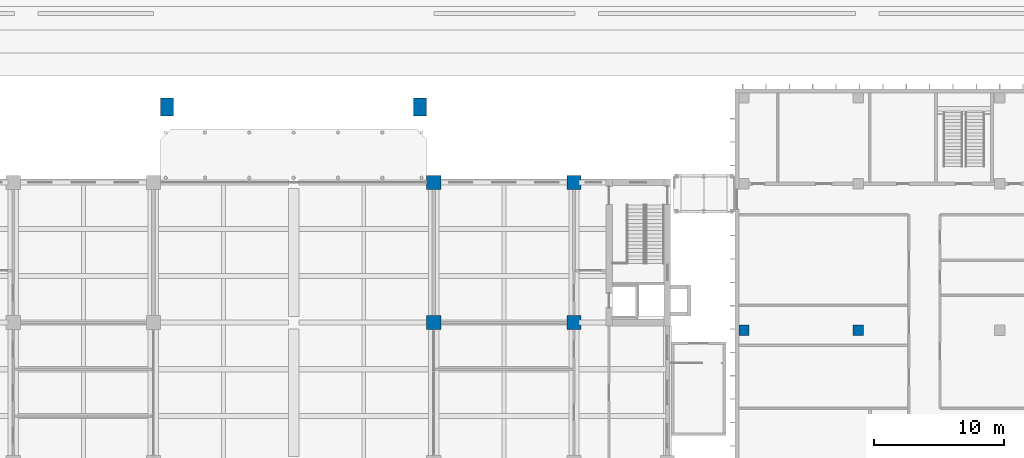
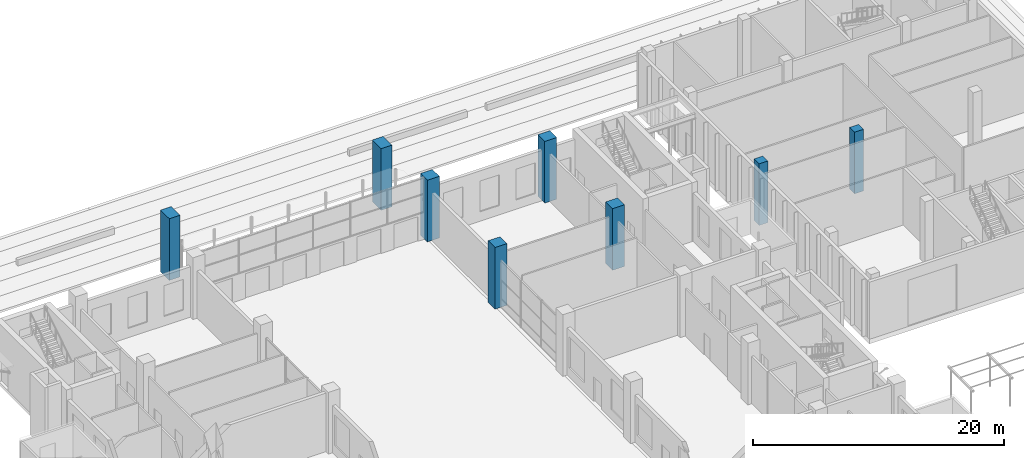
# One storey, part 13 of 71: 8 columns.
"""IFC4 building model written with IfcOpenShell, lengths in metres."""

from ifc_helpers import new_model, si_unit, direction, frame, origin, origin_2d, place, context, subcontext, project, spatial, rectangle, extrude, material, material_profile, profile_set, type_object, element, save


model = new_model("IFC4")

# Units and contexts
model_context = context("Model", 3, precision=1e-05, world=origin(), true_north=direction((0.0, 1.0)))
body_context = subcontext(model_context, "Body", "Model", "MODEL_VIEW")
ifc_project = project(units=[si_unit("LENGTHUNIT", "METRE"), si_unit("AREAUNIT", "SQUARE_METRE"), si_unit("VOLUMEUNIT", "CUBIC_METRE"), si_unit("PLANEANGLEUNIT", "RADIAN"), si_unit("MASSUNIT", "GRAM", prefix="KILO")], contexts=[model_context])

# Site, building, storey
site_placement = place(None, origin())
site = spatial("IfcSite", under=ifc_project, at=site_placement, CompositionType="ELEMENT")
building_placement = place(site_placement, origin())
building = spatial("IfcBuilding", under=site, at=building_placement, Name="Basin Gate Institute", CompositionType="ELEMENT")
storey_placement = place(building_placement, origin())
storey = spatial("IfcBuildingStorey", under=building, at=storey_placement, Name="L00", CompositionType="ELEMENT", Elevation=0.0)

# Columns
ifc_material_1 = material(Name="Concrete 60 MPa", Category="concrete")
ifc_material_profile_1 = material_profile(ifc_material_1, rectangle(XDim=1.10009765625, YDim=1.10009765625, at=origin_2d()), Name="Column C1 1100 x 1100")
ifc_profile_set_1 = profile_set([ifc_material_profile_1], Name="Concrete 60 MPa")
column_type_1 = type_object("IfcColumnType", Name="Column C1 R180", PredefinedType="COLUMN", material=ifc_profile_set_1)
for number, where, z_axis, x_axis, name in (
    (1, (111.60009765625, 89.10009765625, 0.0), (0.0, 0.0, 1.0), (1.0, 0.0, 0.0), "COL/L00/8F"),
    (2, (111.60009765625, 99.89990234375, 0.0), (0.0, 0.0, 1.0), (1.0, 0.0, 0.0), "COL/L00/8G"),
    (3, (100.800048828125, 89.10009765625, 0.0), (0.0, 0.0, 1.0), (1.0, 0.0, 0.0), "COL/L00/7F"),
    (4, (100.800048828125, 99.89990234375, 0.0), (0.0, 0.0, 1.0), (1.0, 0.0, 0.0), "COL/L00/7G"),
):
    element("IfcColumn", number, at=place(storey_placement, frame(where, z_axis=z_axis, x_axis=x_axis)), inside=storey, type_object=column_type_1, material=ifc_profile_set_1, Name=name, PredefinedType="COLUMN", context=body_context, shape_type="SweptSolid", body=[
        extrude(rectangle(XDim=1.10009765625, YDim=1.10009765625, at=origin_2d()), origin(), (0.0, 0.0, 1.0), 6.0),
    ])
ifc_material_2 = material(Name="Concrete 50 MPa", Category="concrete")
ifc_material_profile_2 = material_profile(ifc_material_2, rectangle(XDim=0.800048828125, YDim=0.800048828125, at=origin_2d()), Name="Column C4 800 x 800")
ifc_profile_set_2 = profile_set([ifc_material_profile_2], Name="Concrete 50 MPa")
column_type_2 = type_object("IfcColumnType", Name="Column C4 R180", PredefinedType="COLUMN", material=ifc_profile_set_2)
for number, where, z_axis, x_axis, name in (
    (5, (124.699951171875, 88.5, 0.0), (0.0, 0.0, 1.0), (1.0, 0.0, 0.0), "Clean block column R180 1/3 L00"),
    (6, (133.5, 88.5, 0.0), (0.0, 0.0, 1.0), (1.0, 0.0, 0.0), "Clean block column R180 2/3 L00"),
):
    element("IfcColumn", number, at=place(storey_placement, frame(where, z_axis=z_axis, x_axis=x_axis)), inside=storey, type_object=column_type_2, material=ifc_profile_set_2, Name=name, PredefinedType="COLUMN", context=body_context, shape_type="SweptSolid", body=[
        extrude(rectangle(XDim=0.800048828125, YDim=0.800048828125, at=origin_2d()), origin(), (0.0, 0.0, 1.0), 6.0),
    ])
ifc_material_3 = material(Name="Concrete 40 MPa", Category="concrete")
ifc_material_profile_3 = material_profile(ifc_material_3, rectangle(XDim=1.0, YDim=1.39990234375, at=origin_2d()), Name="Shell portal column SC1 1000 x 1400")
ifc_profile_set_3 = profile_set([ifc_material_profile_3], Name="Concrete 40 MPa")
column_type_3 = type_object("IfcColumnType", Name="Shell portal column SC1 R180", PredefinedType="COLUMN", material=ifc_profile_set_3)
for number, where, z_axis, x_axis, name in (
    (7, (80.25, 105.699951171875, 0.0), (0.0, 0.0, 1.0), (1.0, 0.0, 0.0), "Atrium shell portal column R180 NW L00"),
    (8, (99.75, 105.699951171875, 0.0), (0.0, 0.0, 1.0), (1.0, 0.0, 0.0), "Atrium shell portal column R180 NE L00"),
):
    element("IfcColumn", number, at=place(storey_placement, frame(where, z_axis=z_axis, x_axis=x_axis)), inside=storey, type_object=column_type_3, material=ifc_profile_set_3, Name=name, PredefinedType="COLUMN", context=body_context, shape_type="SweptSolid", body=[
        extrude(rectangle(XDim=1.0, YDim=1.39990234375, at=origin_2d()), origin(), (0.0, 0.0, 1.0), 6.0),
    ])

save(model, "model.ifc")
